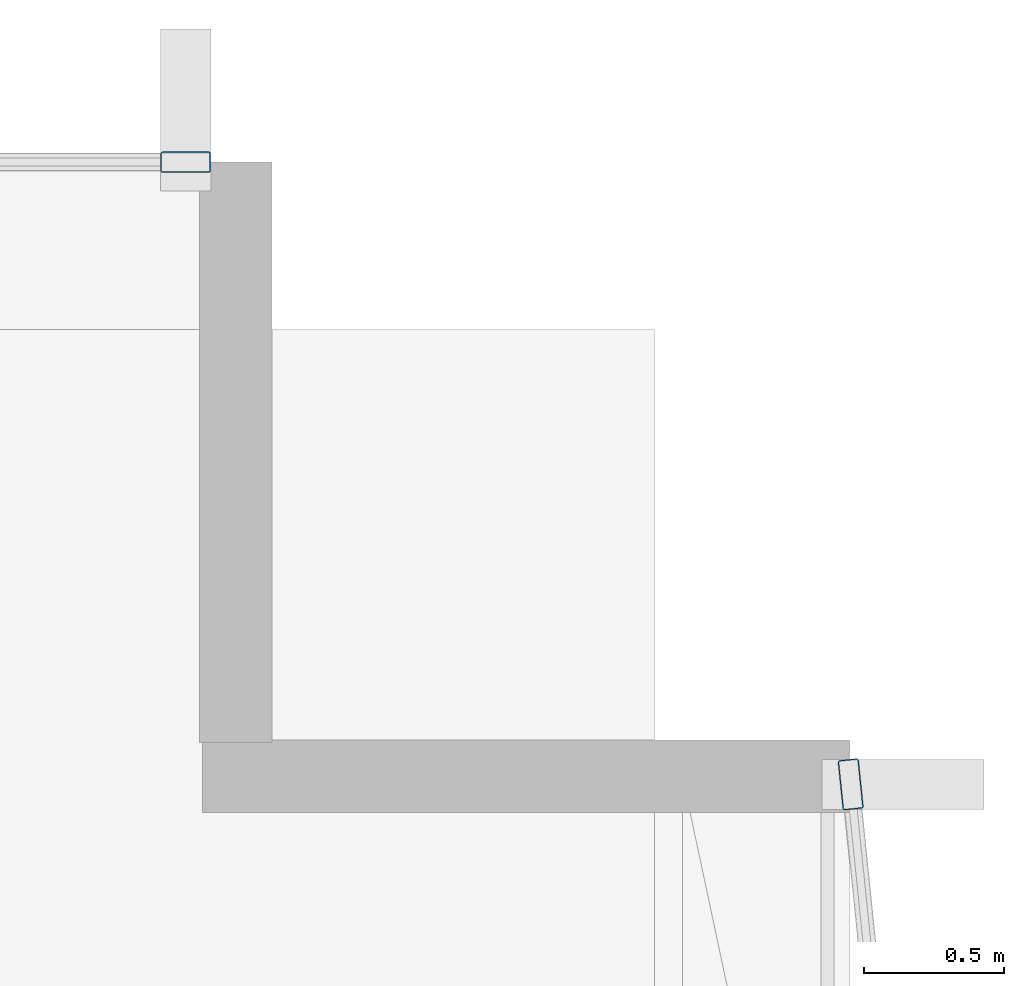
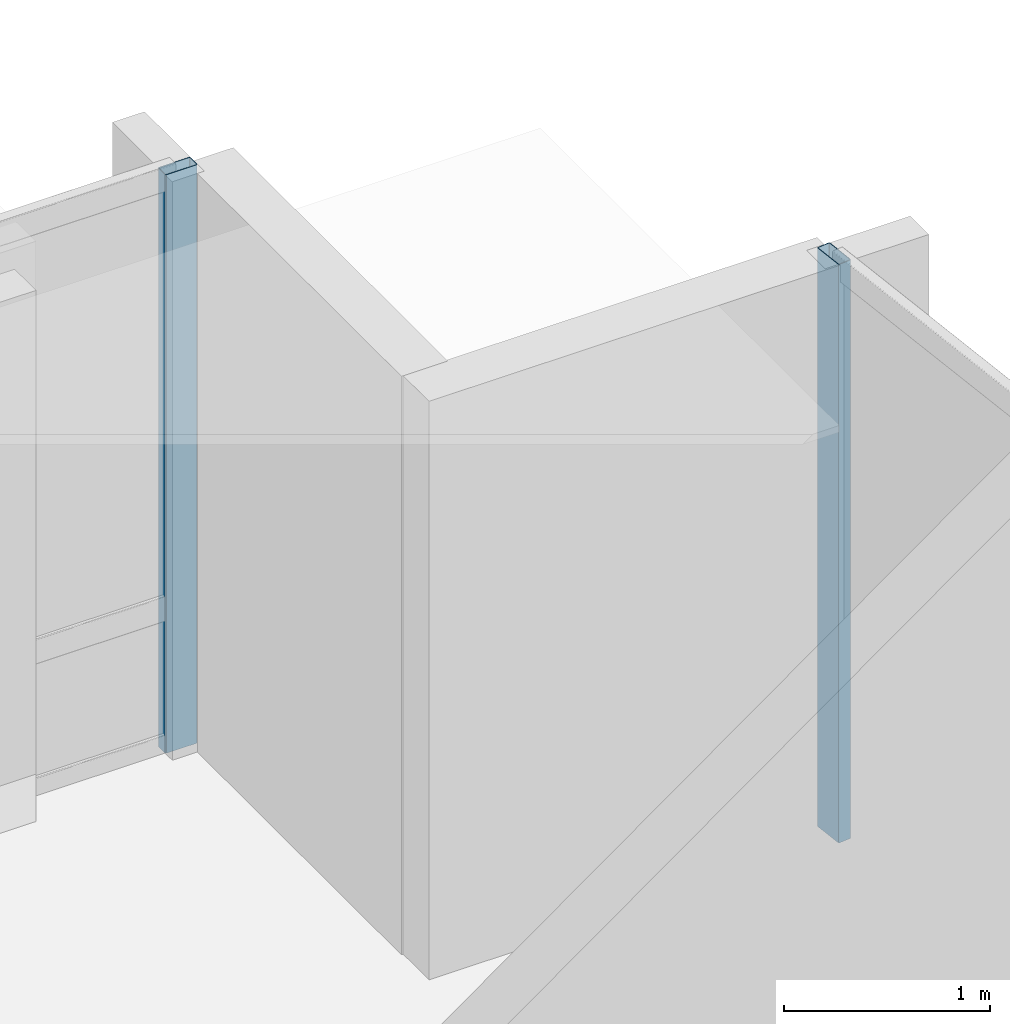
# One storey, part 17 of 34: 2 members, 2 elements without a shape of their own.
"""IFC4 building model written with IfcOpenShell, lengths in metres."""

from ifc_helpers import new_model, si_unit, direction, frame, origin, origin_2d, place, context, subcontext, project, spatial, hollow_rectangle, extrude, material, layer, layer_set, material_profile, profile_set, type_object, element, aggregate, save


model = new_model("IFC4")

# Units and contexts
model_context = context("Model", 3, precision=1e-05, world=origin(), true_north=direction((0.0, 1.0)))
body_context = subcontext(model_context, "Body", "Model", "MODEL_VIEW")
ifc_project = project(units=[si_unit("LENGTHUNIT", "METRE"), si_unit("AREAUNIT", "SQUARE_METRE"), si_unit("VOLUMEUNIT", "CUBIC_METRE"), si_unit("PLANEANGLEUNIT", "RADIAN"), si_unit("MASSUNIT", "GRAM", prefix="KILO")], contexts=[model_context])

# Site, building, storey
site_placement = place(None, origin())
site = spatial("IfcSite", under=ifc_project, at=site_placement, CompositionType="ELEMENT")
building_placement = place(site_placement, origin())
building = spatial("IfcBuilding", under=site, at=building_placement, Name="Solvaryn Broadcast Tower", CompositionType="ELEMENT")
storey_placement = place(building_placement, frame((0.0, 0.0, 92.800048828125)))
storey = spatial("IfcBuildingStorey", under=building, at=storey_placement, Name="L22", CompositionType="ELEMENT", Elevation=92.800048828125)

# Curtain wall, member
ifc_material_1 = material(Name="Aluminium and Terracotta Unitised Curtain Wall", Category="masonry")
ifc_layer = layer(ifc_material_1, 0.199951171875)
ifc_layer_set = layer_set([ifc_layer], Name="CW-SYS2-LOWMID")
curtain_wall_type = type_object("IfcCurtainWallType", Name="CW-SYS2-LOWMID", PredefinedType="NOTDEFINED", material=ifc_layer_set)
curtain_wall_1_placement = place(storey_placement, origin())
curtain_wall_1 = element("IfcCurtainWall", 1, at=curtain_wall_1_placement, inside=storey, type_object=curtain_wall_type, Name="L22 Curtain Wall ET1", PredefinedType="NOTDEFINED")
ifc_material_2 = material(Name="Anodised Aluminium 6063-T6", Category="aluminium")
ifc_material_profile = material_profile(ifc_material_2, hollow_rectangle(XDim=0.074951171875, YDim=0.179931640625, WallThickness=0.00390625, InnerFilletRadius=0.00390625, OuterFilletRadius=0.008056640625, at=origin_2d()))
ifc_profile_set = profile_set([ifc_material_profile], Name="Anodised Aluminium 6063-T6")
member_type = type_object("IfcMemberType", Name="CW-MUL-180", PredefinedType="MULLION", material=ifc_profile_set)
member_1_placement = place(storey_placement, frame((63.003173828125, 24.770263671875, 0.0), z_axis=(0.0, 0.0, 1.0), x_axis=(0.99474329889, 0.10240004548, 0.0)))
member_1 = element("IfcMember", 2, at=member_1_placement, type_object=member_type, Name="CWS2 mullion 1", PredefinedType="MULLION", context=body_context, shape_type="SweptSolid", body=[
    extrude(hollow_rectangle(XDim=0.074951171875, YDim=0.179931640625, WallThickness=0.00390625, InnerFilletRadius=0.00390625, OuterFilletRadius=0.008056640625, at=origin_2d()), origin(), (0.0, 0.0, 1.0), 3.419921875),
])
aggregate(curtain_wall_1, [member_1])

curtain_wall_2_placement = place(storey_placement, origin())
curtain_wall_2 = element("IfcCurtainWall", 3, at=curtain_wall_2_placement, inside=storey, type_object=curtain_wall_type, Name="L22 Curtain Wall IH", PredefinedType="NOTDEFINED")
member_2_placement = place(storey_placement, frame((60.6201171875, 27.0, 0.0), z_axis=(0.0, 0.0, 1.0), x_axis=(0.0, 1.0, 0.0)))
member_2 = element("IfcMember", 4, at=member_2_placement, type_object=member_type, Name="CWS2 mullion 2", PredefinedType="MULLION", context=body_context, shape_type="SweptSolid", body=[
    extrude(hollow_rectangle(XDim=0.074951171875, YDim=0.179931640625, WallThickness=0.00390625, InnerFilletRadius=0.00390625, OuterFilletRadius=0.008056640625, at=origin_2d()), origin(), (0.0, 0.0, 1.0), 3.419921875),
])
aggregate(curtain_wall_2, [member_2])

save(model, "model.ifc")
